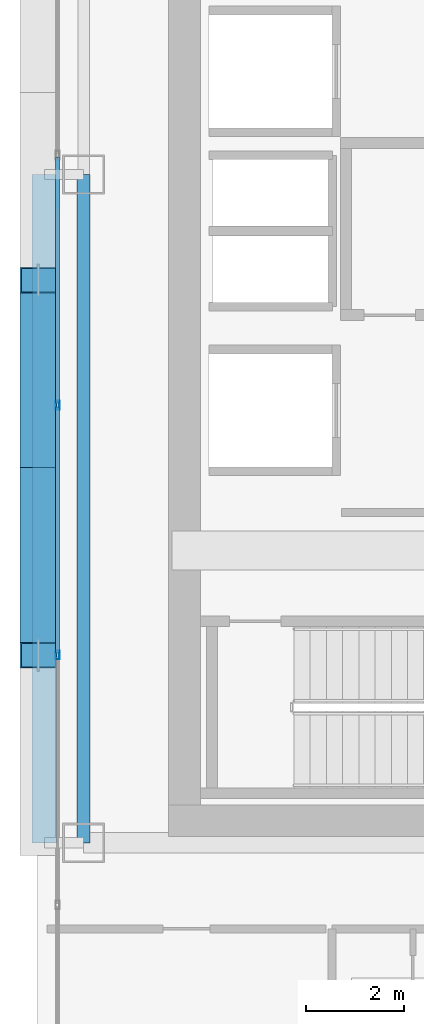
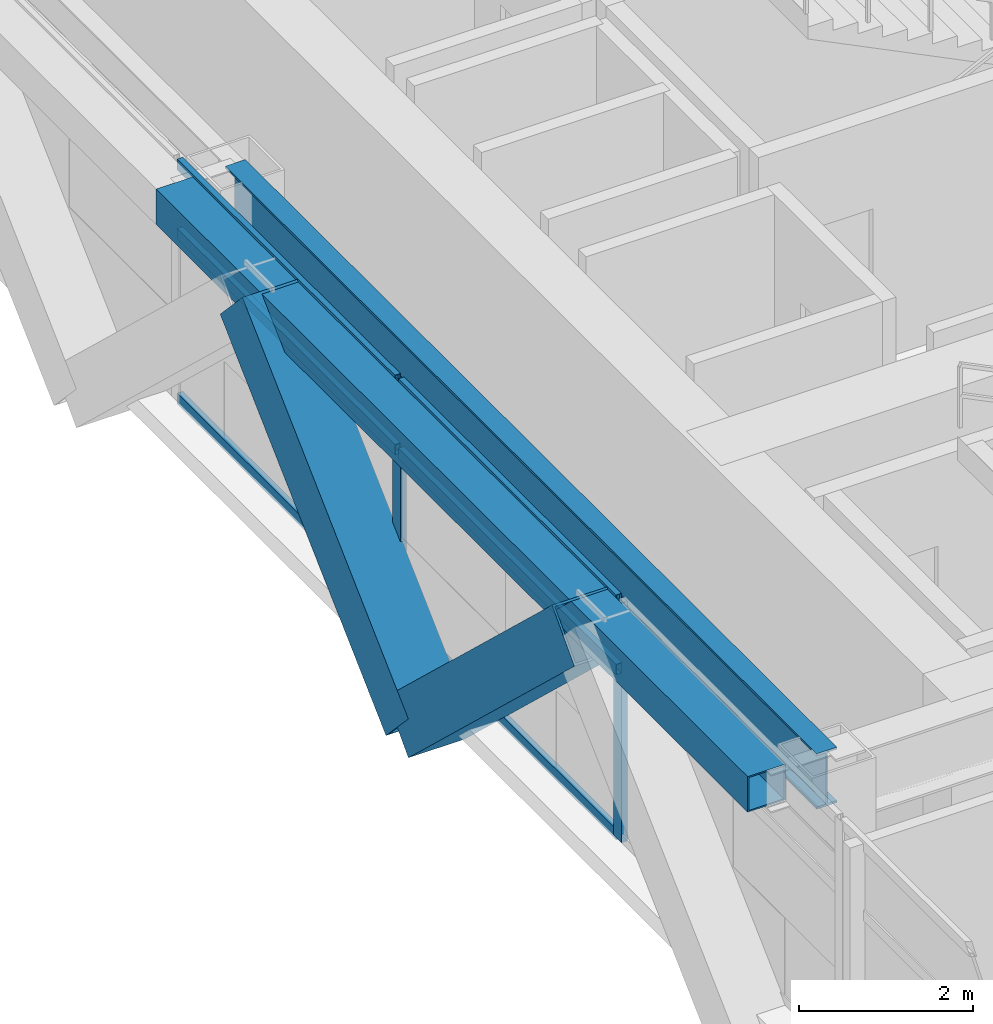
# One storey, part 7 of 39: 10 members, 2 beams, 1 element without a shape of its own.
"""IFC4 building model written with IfcOpenShell, lengths in metres."""

import ifcopenshell
import ifcopenshell.guid

model = None  # the IFC model being written
_history = None  # IfcOwnerHistory: only IFC2X3 demands one
_inside = {}  # id of a spatial element -> (the spatial element, [elements in it])
_under = {}  # id of a project, library or spatial element -> (it, [spatial elements below it])
_declared = {}  # id of a project -> (the project, [libraries it declares])
_typed = {}  # id of a type object -> (the type object, [elements of that type])
_made_of = {}  # id of a material, layer set ... -> (it, [elements and type objects made of it])


def new_model(schema):
    """Start an empty IFC model of exactly this schema.

    Asked for "IFC4X3", IfcOpenShell would pick the latest addendum, in which some entities
    have other attributes; the version numbers below select the first issue.
    IFC2X3 requires an IfcOwnerHistory on every rooted entity: one is made here for all.
    """
    global model, _history
    if schema == "IFC4X3":
        model = ifcopenshell.file(schema_version=(4, 3, 0, 0))
    else:
        model = ifcopenshell.file(schema=schema)
    _inside.clear()
    _under.clear()
    _declared.clear()
    _typed.clear()
    _made_of.clear()
    _history = None
    if model.schema == "IFC2X3":
        org = make("IfcOrganization", Name="unknown")
        user = make(
            "IfcPersonAndOrganization",
            ThePerson=make("IfcPerson", FamilyName="unknown"),
            TheOrganization=org,
        )
        app = make(
            "IfcApplication",
            ApplicationDeveloper=org,
            Version="unknown",
            ApplicationFullName="unknown",
            ApplicationIdentifier="unknown",
        )
        _history = make(
            "IfcOwnerHistory",
            OwningUser=user,
            OwningApplication=app,
            ChangeAction="ADDED",
            CreationDate=0,
        )
    return model


def make(cls, **values):
    """One entity of the class cls with the attributes given. An attribute that is None is left unset."""
    return model.create_entity(
        cls, **{name: value for name, value in values.items() if value is not None}
    )


def rooted(cls, **values):
    """An entity with a GlobalId (a new one), such as an element, a storey or a relation."""
    return make(cls, GlobalId=ifcopenshell.guid.new(), OwnerHistory=_history, **values)


def si_unit(unit_type, name, prefix=None):
    """IfcSIUnit, for example si_unit("LENGTHUNIT", "METRE", prefix="MILLI")."""
    return make("IfcSIUnit", UnitType=unit_type, Prefix=prefix, Name=name)


def assignment(units):
    """IfcUnitAssignment: the units of a project."""
    return None if units is None else make("IfcUnitAssignment", Units=units)


def point(xyz):
    """IfcCartesianPoint."""
    return None if xyz is None else make("IfcCartesianPoint", Coordinates=xyz)


def direction(xyz):
    """IfcDirection."""
    return None if xyz is None else make("IfcDirection", DirectionRatios=xyz)


def frame(location, z_axis=None, x_axis=None):
    """IfcAxis2Placement3D, a coordinate frame: its origin and axes. An axis left out is left unset."""
    return make(
        "IfcAxis2Placement3D",
        Location=point(location),
        Axis=direction(z_axis),
        RefDirection=direction(x_axis),
    )


def frame_2d(location, x_axis=None):
    """IfcAxis2Placement2D, a coordinate frame in the plane: its origin and x axis."""
    return make(
        "IfcAxis2Placement2D", Location=point(location), RefDirection=direction(x_axis)
    )


def origin():
    """The frame at (0, 0, 0) with its axes left unset."""
    return frame((0.0, 0.0, 0.0))


def origin_2d():
    """The frame at (0, 0) in the plane with its x axis left unset."""
    return frame_2d((0.0, 0.0))


def place(relative_to, where):
    """IfcLocalPlacement: puts the frame where relative to a parent placement (None: the world)."""
    return make(
        "IfcLocalPlacement", PlacementRelTo=relative_to, RelativePlacement=where
    )


def context(
    kind, dimensions, precision=None, world=None, true_north=None, identifier=None
):
    """IfcGeometricRepresentationContext, for example the 3D "Model" context."""
    return make(
        "IfcGeometricRepresentationContext",
        ContextIdentifier=identifier,
        ContextType=kind,
        CoordinateSpaceDimension=dimensions,
        Precision=precision,
        WorldCoordinateSystem=world,
        TrueNorth=true_north,
    )


def subcontext(parent, identifier, kind, view, scale=None):
    """IfcGeometricRepresentationSubContext, for example "Body" below "Model"."""
    return make(
        "IfcGeometricRepresentationSubContext",
        ContextIdentifier=identifier,
        ContextType=kind,
        ParentContext=parent,
        TargetScale=scale,
        TargetView=view,
    )


def project(units=None, contexts=None):
    """IfcProject with its units and contexts."""
    return rooted(
        "IfcProject",
        Name="project",
        RepresentationContexts=contexts,
        UnitsInContext=assignment(units),
    )


def spatial(cls, under=None, at=None, **own):
    """A site, building, storey or space (cls), placed at a placement, below another one or the project."""
    s = rooted(cls, ObjectPlacement=at, **own)
    if under is not None:
        _under.setdefault(under.id(), (under, []))[1].append(s)
    return s


def profile(cls, at=None, kind="AREA", **sizes):
    """A parametric profile (cls). Its sizes go by their IFC names, for example OverallWidth=200.0."""
    return make(cls, ProfileType=kind, Position=at, **sizes)


def hollow_rectangle(**sizes):
    """IfcRectangleHollowProfileDef."""
    return profile("IfcRectangleHollowProfileDef", **sizes)


def i_section(**sizes):
    """IfcIShapeProfileDef."""
    return profile("IfcIShapeProfileDef", **sizes)


def extrude(swept, where, along, depth):
    """IfcExtrudedAreaSolid: the profile swept, set in the frame where, extruded along a direction by depth."""
    return make(
        "IfcExtrudedAreaSolid",
        SweptArea=swept,
        Position=where,
        ExtrudedDirection=direction(along),
        Depth=depth,
    )


def shape(context_of_items, identifier, shape_type, items):
    """IfcShapeRepresentation: the items that make up one representation, for example the "Body"."""
    return make(
        "IfcShapeRepresentation",
        ContextOfItems=context_of_items,
        RepresentationIdentifier=identifier,
        RepresentationType=shape_type,
        Items=items,
    )


def source(mapping_origin, context_of_items, identifier, shape_type, items):
    """IfcRepresentationMap: a shape defined once, which mapped items show again and again."""
    return make(
        "IfcRepresentationMap",
        MappingOrigin=mapping_origin,
        MappedRepresentation=shape(context_of_items, identifier, shape_type, items),
    )


def transform(
    local_origin,
    x_axis=None,
    y_axis=None,
    z_axis=None,
    scale=None,
    scale2=None,
    scale3=None,
    uniform=True,
):
    """IfcCartesianTransformationOperator3D, or its non-uniform kind. x_axis, y_axis, z_axis: its Axis1, 2, 3."""
    if uniform:
        return make(
            "IfcCartesianTransformationOperator3D",
            Axis1=direction(x_axis),
            Axis2=direction(y_axis),
            LocalOrigin=point(local_origin),
            Scale=scale,
            Axis3=direction(z_axis),
        )
    return make(
        "IfcCartesianTransformationOperator3DnonUniform",
        Axis1=direction(x_axis),
        Axis2=direction(y_axis),
        LocalOrigin=point(local_origin),
        Scale=scale,
        Axis3=direction(z_axis),
        Scale2=scale2,
        Scale3=scale3,
    )


def mapped(mapping_source, mapping_target):
    """IfcMappedItem: shows the shape of a source again, moved by a transform."""
    return make(
        "IfcMappedItem", MappingSource=mapping_source, MappingTarget=mapping_target
    )


def material(Name=None, Category=None):
    """IfcMaterial."""
    return make("IfcMaterial", Name=Name, Category=Category)


def layer(
    of_material, thickness, ventilated=None, Name=None, Category=None, Priority=None
):
    """IfcMaterialLayer: one layer of a wall or slab, of a material (None: an air gap)."""
    return make(
        "IfcMaterialLayer",
        Material=of_material,
        LayerThickness=thickness,
        IsVentilated=ventilated,
        Name=Name,
        Category=Category,
        Priority=Priority,
    )


def layer_set(layers, Name=None):
    """IfcMaterialLayerSet."""
    return make("IfcMaterialLayerSet", MaterialLayers=layers, LayerSetName=Name)


def material_profile(
    of_material, cross_section, Name=None, Category=None, Priority=None
):
    """IfcMaterialProfile: a cross section and its material."""
    return make(
        "IfcMaterialProfile",
        Name=Name,
        Material=of_material,
        Profile=cross_section,
        Priority=Priority,
        Category=Category,
    )


def profile_set(profiles, Name=None, composite=None):
    """IfcMaterialProfileSet."""
    return make(
        "IfcMaterialProfileSet",
        Name=Name,
        MaterialProfiles=profiles,
        CompositeProfile=composite,
    )


def made_of(thing, what):
    """Note that an element or type object is made of a material, layer set ...; save() writes the relation."""
    if what is not None:
        _made_of.setdefault(what.id(), (what, []))[1].append(thing)
    return thing


def type_object(cls, material=None, **own):
    """A type object (cls), such as IfcWallType, which elements share."""
    return made_of(rooted(cls, **own), material)


def element(
    cls,
    number,
    at=None,
    inside=None,
    cuts=None,
    type_object=None,
    material=None,
    context=None,
    identifier="Body",
    shape_type=None,
    held_by="IfcProductDefinitionShape",
    body=None,
    shapes=None,
    **own,
):
    """One element of the class cls, such as IfcWall. Its Tag is "e" and its number.

    at: its placement. inside: the storey or other place that contains it. cuts: it is an
    opening in that element (IfcRelVoidsElement). A single representation is given by context,
    identifier, shape_type and body (its items); several are given by shapes. held_by: the class
    of the entity that holds the representations. save() writes the other relations.
    """
    e = rooted(cls, Tag="e%d" % number, ObjectPlacement=at, **own)
    if body is not None:
        shapes = [shape(context, identifier, shape_type, body)]
    if shapes is not None:
        e.Representation = make(held_by, Representations=shapes)
    if inside is not None:
        _inside.setdefault(inside.id(), (inside, []))[1].append(e)
    if cuts is not None:
        rooted(
            "IfcRelVoidsElement", RelatingBuildingElement=cuts, RelatedOpeningElement=e
        )
    if type_object is not None:
        _typed.setdefault(type_object.id(), (type_object, []))[1].append(e)
    return made_of(e, material)


def aggregate(whole, parts):
    """IfcRelAggregates: a whole, such as a stair, and the parts it consists of."""
    return rooted("IfcRelAggregates", RelatingObject=whole, RelatedObjects=parts)


def save(model, path):
    """Write the relations noted so far, then the file.

    IfcRelAggregates (storeys below a building ...), IfcRelContainedInSpatialStructure (elements
    in a storey), IfcRelDefinesByType, IfcRelAssociatesMaterial and IfcRelDeclares: one each for
    every whole, place, type object, material and project.
    """
    for whole, parts in _under.values():
        aggregate(whole, parts)
    for where, things in _inside.values():
        rooted(
            "IfcRelContainedInSpatialStructure",
            RelatedElements=things,
            RelatingStructure=where,
        )
    for kind, things in _typed.values():
        rooted("IfcRelDefinesByType", RelatedObjects=things, RelatingType=kind)
    for what, things in _made_of.values():
        rooted("IfcRelAssociatesMaterial", RelatedObjects=things, RelatingMaterial=what)
    for by, libraries in _declared.values():
        rooted("IfcRelDeclares", RelatingContext=by, RelatedDefinitions=libraries)
    model.write(path)


model = new_model("IFC4")

# Units and contexts
model_context = context("Model", 3, precision=1e-05, world=origin(), true_north=direction((0.0, 1.0)))
body_context = subcontext(model_context, "Body", "Model", "MODEL_VIEW")
ifc_project = project(units=[si_unit("LENGTHUNIT", "METRE"), si_unit("AREAUNIT", "SQUARE_METRE"), si_unit("VOLUMEUNIT", "CUBIC_METRE"), si_unit("PLANEANGLEUNIT", "RADIAN"), si_unit("MASSUNIT", "GRAM", prefix="KILO")], contexts=[model_context])

# Site, building, storey
site_placement = place(None, origin())
site = spatial("IfcSite", under=ifc_project, at=site_placement, CompositionType="ELEMENT")
building_placement = place(site_placement, origin())
building = spatial("IfcBuilding", under=site, at=building_placement, Name="Ocotamira Hotel", CompositionType="ELEMENT")
storey_placement = place(building_placement, frame((0.0, 0.0, 126.0)))
storey = spatial("IfcBuildingStorey", under=building, at=storey_placement, Name="L31", CompositionType="ELEMENT", Elevation=126.0)

# Beams
ifc_material_1 = material(Name="Steel ASTM A992 Grade 50", Category="steel")
ifc_material_profile_1 = material_profile(ifc_material_1, i_section(OverallWidth=0.26611328125, OverallDepth=0.779052734375, WebThickness=0.0166015625, FlangeThickness=0.030029296875, FilletRadius=0.01806640625, at=origin_2d()), Name="W30X148")
ifc_profile_set_1 = profile_set([ifc_material_profile_1], Name="Steel ASTM A992 Grade 50")
beam_type_1 = type_object("IfcBeamType", Name="BM-GIRD-W30X148", PredefinedType="BEAM", material=ifc_profile_set_1)
shared_shape_1 = source(origin(), body_context, "Body", "SweptSolid", [
    extrude(i_section(OverallWidth=0.26611328125, OverallDepth=0.779052734375, WebThickness=0.0166015625, FlangeThickness=0.030029296875, FilletRadius=0.01806640625, at=origin_2d()), origin(), (0.0, 0.0, 1.0), 13.599853515625),
])
beam_1_placement = place(storey_placement, frame((8.949951171875, 14.550048828125, 2.970458984375), z_axis=(0.0, 1.0, 0.0), x_axis=(-1.0, 0.0, 0.0)))
element("IfcBeam", 1, at=beam_1_placement, inside=storey, type_object=beam_type_1, Name="L31 Beam X8.95 Y14.55-28.15", PredefinedType="BEAM", context=body_context, shape_type="MappedRepresentation", body=[
    mapped(shared_shape_1, transform((0.0, 0.0, 0.0), scale=1.0)),
])
ifc_material_2 = material(Name="Steel ASTM A500 Grade C", Category="steel")
ifc_material_profile_2 = material_profile(ifc_material_2, hollow_rectangle(XDim=0.5, YDim=0.5, WallThickness=0.02001953125, at=origin_2d()), Name="HSS500X500X20")
ifc_profile_set_2 = profile_set([ifc_material_profile_2], Name="Steel ASTM A500 Grade C")
beam_type_2 = type_object("IfcBeamType", Name="BM-SPAN-HSS500", PredefinedType="USERDEFINED", material=ifc_profile_set_2)
shared_shape_2 = source(origin(), body_context, "Body", "SweptSolid", [
    extrude(hollow_rectangle(XDim=0.5, YDim=0.5, WallThickness=0.02001953125, at=origin_2d()), origin(), (0.0, 0.0, 1.0), 13.599853515625),
])
beam_2_placement = place(storey_placement, frame((8.14990234375, 14.550048828125, 3.110107421875), z_axis=(0.0, 1.0, 0.0), x_axis=(-1.0, 0.0, 0.0)))
element("IfcBeam", 2, at=beam_2_placement, inside=storey, type_object=beam_type_2, Name="L31 Edge Spandrel W Y14.55-28.15", ObjectType="SPANDREL", PredefinedType="USERDEFINED", context=body_context, shape_type="MappedRepresentation", body=[
    mapped(shared_shape_2, transform((0.0, 0.0, 0.0), scale=1.0)),
])

# Members
ifc_material_3 = material(Name="Pale-metal coated steel ASTM A913 Grade 65", Category="steel")
ifc_material_profile_3 = material_profile(ifc_material_3, hollow_rectangle(XDim=0.75, YDim=0.75, WallThickness=0.028076171875, at=origin_2d()), Name="BOX750X750X28")
ifc_profile_set_3 = profile_set([ifc_material_profile_3], Name="Pale-metal coated steel ASTM A913 Grade 65")
member_type_1 = type_object("IfcMemberType", Name="MEM-EXO-BOX750", PredefinedType="BRACE", material=ifc_profile_set_3)
shared_shape_3 = source(origin(), body_context, "Body", "SweptSolid", [
    extrude(hollow_rectangle(XDim=0.75, YDim=0.75, WallThickness=0.028076171875, at=origin_2d()), origin(), (0.0, 0.0, 1.0), 5.24658203125),
])
for number, where, z_axis, x_axis, name in (
    (3, (8.030029296875, 22.183349609375, -0.489990234375), (0.0, -0.727442733726, 0.686168397078), (1.0, 0.0, 0.0), "L31 Exoskeleton Diagrid W0.2"),
    (4, (8.030029296875, 22.183349609375, -0.489990234375), (0.0, 0.727442733726, 0.686168397078), (-1.0, 0.0, 0.0), "L31 Exoskeleton Diagrid W1.1"),
):
    element("IfcMember", number, at=place(storey_placement, frame(where, z_axis=z_axis, x_axis=x_axis)), inside=storey, type_object=member_type_1, Name=name, PredefinedType="BRACE", context=body_context, shape_type="MappedRepresentation", body=[
        mapped(shared_shape_3, transform((0.0, 0.0, 0.0), scale=1.0)),
    ])

# Curtain wall, members
ifc_material_4 = material(Name="Anodised pale-metal aluminium and solar glass", Category="aluminium")
ifc_layer = layer(ifc_material_4, 0.179931640625)
ifc_layer_set = layer_set([ifc_layer], Name="Anodised pale-metal aluminium and solar glass")
curtain_wall_type = type_object("IfcCurtainWallType", Name="CW-SYS3-Z2", PredefinedType="NOTDEFINED", material=ifc_layer_set)
curtain_wall_placement = place(storey_placement, origin())
curtain_wall = element("IfcCurtainWall", 5, at=curtain_wall_placement, inside=storey, type_object=curtain_wall_type, Name="L31 Curtain Wall CW-3 CW-L31-W", PredefinedType="NOTDEFINED")
ifc_material_5 = material(Name="Anodised pale-metal aluminium 6063-T6", Category="aluminium")
ifc_material_profile_4 = material_profile(ifc_material_5, hollow_rectangle(XDim=0.074951171875, YDim=0.14990234375, WallThickness=0.006103515625, at=origin_2d()), Name="HSS150X75X6")
ifc_profile_set_4 = profile_set([ifc_material_profile_4], Name="Anodised pale-metal aluminium 6063-T6")
member_type_2 = type_object("IfcMemberType", Name="CWT-150X75", PredefinedType="USERDEFINED", material=ifc_profile_set_4)
shared_shape_4 = source(origin(), body_context, "Body", "SweptSolid", [
    extrude(hollow_rectangle(XDim=0.074951171875, YDim=0.14990234375, WallThickness=0.006103515625, at=origin_2d()), origin(), (0.0, 0.0, 1.0), 5.005859375),
])
member_1_placement = place(storey_placement, frame((8.419921875, 18.411376953125, 0.03759765625), z_axis=(0.0, 1.0, 0.0), x_axis=(-1.0, 0.0, 0.0)))
member_1 = element("IfcMember", 6, at=member_1_placement, type_object=member_type_2, Name="CW-3 transom 3.1", ObjectType="TRANSOM", PredefinedType="USERDEFINED", context=body_context, shape_type="MappedRepresentation", body=[
    mapped(shared_shape_4, transform((0.0, 0.0, 0.0), scale=1.0)),
])
member_2_placement = place(storey_placement, frame((8.419921875, 18.411376953125, 2.35009765625), z_axis=(0.0, 1.0, 0.0), x_axis=(-1.0, 0.0, 0.0)))
member_2 = element("IfcMember", 7, at=member_2_placement, type_object=member_type_2, Name="CW-3 transom 3.2", ObjectType="TRANSOM", PredefinedType="USERDEFINED", context=body_context, shape_type="MappedRepresentation", body=[
    mapped(shared_shape_4, transform((0.0, 0.0, 0.0), scale=1.0)),
])
member_3_placement = place(storey_placement, frame((8.419921875, 18.411376953125, 3.322509765625), z_axis=(0.0, 1.0, 0.0), x_axis=(-1.0, 0.0, 0.0)))
member_3 = element("IfcMember", 8, at=member_3_placement, type_object=member_type_2, Name="CW-3 transom 3.3", ObjectType="TRANSOM", PredefinedType="USERDEFINED", context=body_context, shape_type="MappedRepresentation", body=[
    mapped(shared_shape_4, transform((0.0, 0.0, 0.0), scale=1.0)),
])
member_4_placement = place(storey_placement, frame((8.419921875, 23.4970703125, 0.03759765625), z_axis=(0.0, 1.0, 0.0), x_axis=(-1.0, 0.0, 0.0)))
member_4 = element("IfcMember", 9, at=member_4_placement, type_object=member_type_2, Name="CW-3 transom 4.1", ObjectType="TRANSOM", PredefinedType="USERDEFINED", context=body_context, shape_type="MappedRepresentation", body=[
    mapped(shared_shape_4, transform((0.0, 0.0, 0.0), scale=1.0)),
])
member_5_placement = place(storey_placement, frame((8.419921875, 23.4970703125, 2.35009765625), z_axis=(0.0, 1.0, 0.0), x_axis=(-1.0, 0.0, 0.0)))
member_5 = element("IfcMember", 10, at=member_5_placement, type_object=member_type_2, Name="CW-3 transom 4.2", ObjectType="TRANSOM", PredefinedType="USERDEFINED", context=body_context, shape_type="MappedRepresentation", body=[
    mapped(shared_shape_4, transform((0.0, 0.0, 0.0), scale=1.0)),
])
member_6_placement = place(storey_placement, frame((8.419921875, 23.4970703125, 3.322509765625), z_axis=(0.0, 1.0, 0.0), x_axis=(-1.0, 0.0, 0.0)))
member_6 = element("IfcMember", 11, at=member_6_placement, type_object=member_type_2, Name="CW-3 transom 4.3", ObjectType="TRANSOM", PredefinedType="USERDEFINED", context=body_context, shape_type="MappedRepresentation", body=[
    mapped(shared_shape_4, transform((0.0, 0.0, 0.0), scale=1.0)),
])
ifc_material_profile_5 = material_profile(ifc_material_5, hollow_rectangle(XDim=0.080078125, YDim=0.179931640625, WallThickness=0.006103515625, at=origin_2d()), Name="HSS180X80X6")
ifc_profile_set_5 = profile_set([ifc_material_profile_5], Name="Anodised pale-metal aluminium 6063-T6")
member_type_3 = type_object("IfcMemberType", Name="CWM-180X75", PredefinedType="MULLION", material=ifc_profile_set_5)
shared_shape_5 = source(origin(), body_context, "Body", "SweptSolid", [
    extrude(hollow_rectangle(XDim=0.080078125, YDim=0.179931640625, WallThickness=0.006103515625, at=origin_2d()), origin(), (0.0, 0.0, 1.0), 3.360107421875),
])
member_7_placement = place(storey_placement, frame((8.419921875, 18.371337890625, 0.0), z_axis=(0.0, 0.0, 1.0), x_axis=(-1.0, 0.0, 0.0)))
member_7 = element("IfcMember", 12, at=member_7_placement, type_object=member_type_3, Name="CW-3 mullion 3", PredefinedType="MULLION", context=body_context, shape_type="MappedRepresentation", body=[
    mapped(shared_shape_5, transform((0.0, 0.0, 0.0), scale=1.0)),
])
member_8_placement = place(storey_placement, frame((8.419921875, 23.45703125, 0.0), z_axis=(0.0, 0.0, 1.0), x_axis=(-1.0, 0.0, 0.0)))
member_8 = element("IfcMember", 13, at=member_8_placement, type_object=member_type_3, Name="CW-3 mullion 4", PredefinedType="MULLION", context=body_context, shape_type="MappedRepresentation", body=[
    mapped(shared_shape_5, transform((0.0, 0.0, 0.0), scale=1.0)),
])
aggregate(curtain_wall, [member_7, member_8, member_1, member_2, member_3, member_4, member_5, member_6])

save(model, "model.ifc")
